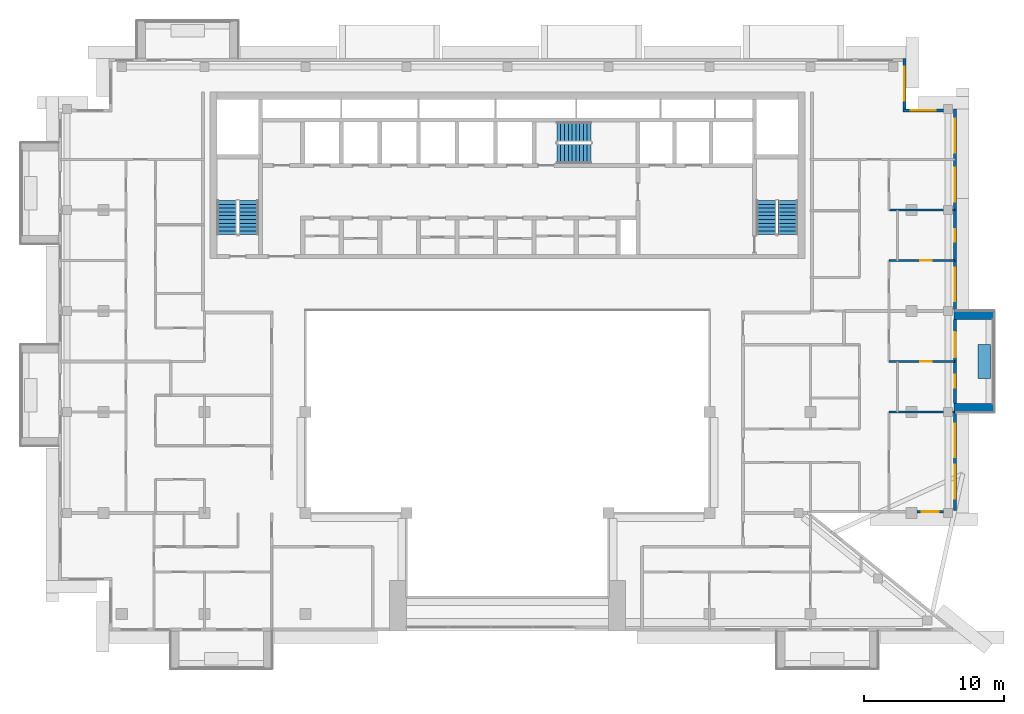
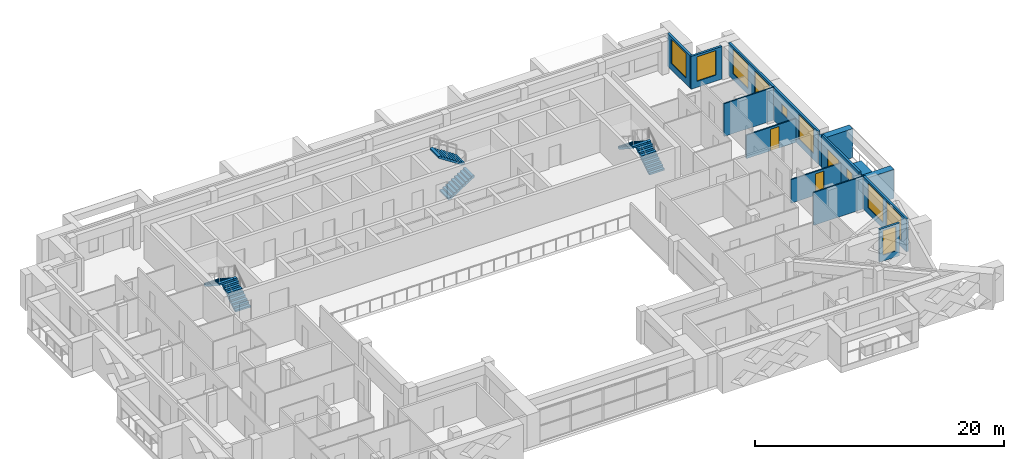
# One storey, part 12 of 19: 13 walls, 10 windows, 6 stair flights, 3 doors, 13 openings, 3 elements without a shape of their own.
"""IFC4 building model written with IfcOpenShell, lengths in metres."""

import ifcopenshell
import ifcopenshell.guid

model = None  # the IFC model being written
_history = None  # IfcOwnerHistory: only IFC2X3 demands one
_inside = {}  # id of a spatial element -> (the spatial element, [elements in it])
_under = {}  # id of a project, library or spatial element -> (it, [spatial elements below it])
_declared = {}  # id of a project -> (the project, [libraries it declares])
_typed = {}  # id of a type object -> (the type object, [elements of that type])
_made_of = {}  # id of a material, layer set ... -> (it, [elements and type objects made of it])


def new_model(schema):
    """Start an empty IFC model of exactly this schema.

    Asked for "IFC4X3", IfcOpenShell would pick the latest addendum, in which some entities
    have other attributes; the version numbers below select the first issue.
    IFC2X3 requires an IfcOwnerHistory on every rooted entity: one is made here for all.
    """
    global model, _history
    if schema == "IFC4X3":
        model = ifcopenshell.file(schema_version=(4, 3, 0, 0))
    else:
        model = ifcopenshell.file(schema=schema)
    _inside.clear()
    _under.clear()
    _declared.clear()
    _typed.clear()
    _made_of.clear()
    _history = None
    if model.schema == "IFC2X3":
        org = make("IfcOrganization", Name="unknown")
        user = make(
            "IfcPersonAndOrganization",
            ThePerson=make("IfcPerson", FamilyName="unknown"),
            TheOrganization=org,
        )
        app = make(
            "IfcApplication",
            ApplicationDeveloper=org,
            Version="unknown",
            ApplicationFullName="unknown",
            ApplicationIdentifier="unknown",
        )
        _history = make(
            "IfcOwnerHistory",
            OwningUser=user,
            OwningApplication=app,
            ChangeAction="ADDED",
            CreationDate=0,
        )
    return model


def make(cls, **values):
    """One entity of the class cls with the attributes given. An attribute that is None is left unset."""
    return model.create_entity(
        cls, **{name: value for name, value in values.items() if value is not None}
    )


def rooted(cls, **values):
    """An entity with a GlobalId (a new one), such as an element, a storey or a relation."""
    return make(cls, GlobalId=ifcopenshell.guid.new(), OwnerHistory=_history, **values)


def si_unit(unit_type, name, prefix=None):
    """IfcSIUnit, for example si_unit("LENGTHUNIT", "METRE", prefix="MILLI")."""
    return make("IfcSIUnit", UnitType=unit_type, Prefix=prefix, Name=name)


def assignment(units):
    """IfcUnitAssignment: the units of a project."""
    return None if units is None else make("IfcUnitAssignment", Units=units)


def point(xyz):
    """IfcCartesianPoint."""
    return None if xyz is None else make("IfcCartesianPoint", Coordinates=xyz)


def direction(xyz):
    """IfcDirection."""
    return None if xyz is None else make("IfcDirection", DirectionRatios=xyz)


def frame(location, z_axis=None, x_axis=None):
    """IfcAxis2Placement3D, a coordinate frame: its origin and axes. An axis left out is left unset."""
    return make(
        "IfcAxis2Placement3D",
        Location=point(location),
        Axis=direction(z_axis),
        RefDirection=direction(x_axis),
    )


def frame_2d(location, x_axis=None):
    """IfcAxis2Placement2D, a coordinate frame in the plane: its origin and x axis."""
    return make(
        "IfcAxis2Placement2D", Location=point(location), RefDirection=direction(x_axis)
    )


def origin():
    """The frame at (0, 0, 0) with its axes left unset."""
    return frame((0.0, 0.0, 0.0))


def place(relative_to, where):
    """IfcLocalPlacement: puts the frame where relative to a parent placement (None: the world)."""
    return make(
        "IfcLocalPlacement", PlacementRelTo=relative_to, RelativePlacement=where
    )


def context(
    kind, dimensions, precision=None, world=None, true_north=None, identifier=None
):
    """IfcGeometricRepresentationContext, for example the 3D "Model" context."""
    return make(
        "IfcGeometricRepresentationContext",
        ContextIdentifier=identifier,
        ContextType=kind,
        CoordinateSpaceDimension=dimensions,
        Precision=precision,
        WorldCoordinateSystem=world,
        TrueNorth=true_north,
    )


def subcontext(parent, identifier, kind, view, scale=None):
    """IfcGeometricRepresentationSubContext, for example "Body" below "Model"."""
    return make(
        "IfcGeometricRepresentationSubContext",
        ContextIdentifier=identifier,
        ContextType=kind,
        ParentContext=parent,
        TargetScale=scale,
        TargetView=view,
    )


def project(units=None, contexts=None):
    """IfcProject with its units and contexts."""
    return rooted(
        "IfcProject",
        Name="project",
        RepresentationContexts=contexts,
        UnitsInContext=assignment(units),
    )


def spatial(cls, under=None, at=None, **own):
    """A site, building, storey or space (cls), placed at a placement, below another one or the project."""
    s = rooted(cls, ObjectPlacement=at, **own)
    if under is not None:
        _under.setdefault(under.id(), (under, []))[1].append(s)
    return s


def polyline(points):
    """IfcPolyline through the points."""
    return make("IfcPolyline", Points=[point(p) for p in points])


def profile(cls, at=None, kind="AREA", **sizes):
    """A parametric profile (cls). Its sizes go by their IFC names, for example OverallWidth=200.0."""
    return make(cls, ProfileType=kind, Position=at, **sizes)


def rectangle(**sizes):
    """IfcRectangleProfileDef."""
    return profile("IfcRectangleProfileDef", **sizes)


def outline(outer, holes=None, kind="AREA"):
    """IfcArbitraryClosedProfileDef: a profile drawn as a closed curve; with holes, ...WithVoids."""
    if holes is None:
        return make("IfcArbitraryClosedProfileDef", ProfileType=kind, OuterCurve=outer)
    return make(
        "IfcArbitraryProfileDefWithVoids",
        ProfileType=kind,
        OuterCurve=outer,
        InnerCurves=holes,
    )


def extrude(swept, where, along, depth):
    """IfcExtrudedAreaSolid: the profile swept, set in the frame where, extruded along a direction by depth."""
    return make(
        "IfcExtrudedAreaSolid",
        SweptArea=swept,
        Position=where,
        ExtrudedDirection=direction(along),
        Depth=depth,
    )


def shape(context_of_items, identifier, shape_type, items):
    """IfcShapeRepresentation: the items that make up one representation, for example the "Body"."""
    return make(
        "IfcShapeRepresentation",
        ContextOfItems=context_of_items,
        RepresentationIdentifier=identifier,
        RepresentationType=shape_type,
        Items=items,
    )


def material(Name=None, Category=None):
    """IfcMaterial."""
    return make("IfcMaterial", Name=Name, Category=Category)


def layer(
    of_material, thickness, ventilated=None, Name=None, Category=None, Priority=None
):
    """IfcMaterialLayer: one layer of a wall or slab, of a material (None: an air gap)."""
    return make(
        "IfcMaterialLayer",
        Material=of_material,
        LayerThickness=thickness,
        IsVentilated=ventilated,
        Name=Name,
        Category=Category,
        Priority=Priority,
    )


def layer_set(layers, Name=None):
    """IfcMaterialLayerSet."""
    return make("IfcMaterialLayerSet", MaterialLayers=layers, LayerSetName=Name)


def made_of(thing, what):
    """Note that an element or type object is made of a material, layer set ...; save() writes the relation."""
    if what is not None:
        _made_of.setdefault(what.id(), (what, []))[1].append(thing)
    return thing


def type_object(cls, material=None, **own):
    """A type object (cls), such as IfcWallType, which elements share."""
    return made_of(rooted(cls, **own), material)


def element(
    cls,
    number,
    at=None,
    inside=None,
    cuts=None,
    type_object=None,
    material=None,
    context=None,
    identifier="Body",
    shape_type=None,
    held_by="IfcProductDefinitionShape",
    body=None,
    shapes=None,
    **own,
):
    """One element of the class cls, such as IfcWall. Its Tag is "e" and its number.

    at: its placement. inside: the storey or other place that contains it. cuts: it is an
    opening in that element (IfcRelVoidsElement). A single representation is given by context,
    identifier, shape_type and body (its items); several are given by shapes. held_by: the class
    of the entity that holds the representations. save() writes the other relations.
    """
    e = rooted(cls, Tag="e%d" % number, ObjectPlacement=at, **own)
    if body is not None:
        shapes = [shape(context, identifier, shape_type, body)]
    if shapes is not None:
        e.Representation = make(held_by, Representations=shapes)
    if inside is not None:
        _inside.setdefault(inside.id(), (inside, []))[1].append(e)
    if cuts is not None:
        rooted(
            "IfcRelVoidsElement", RelatingBuildingElement=cuts, RelatedOpeningElement=e
        )
    if type_object is not None:
        _typed.setdefault(type_object.id(), (type_object, []))[1].append(e)
    return made_of(e, material)


def fill(opening, filler):
    """IfcRelFillsElement: the door or window that sits in an opening."""
    return rooted(
        "IfcRelFillsElement",
        RelatingOpeningElement=opening,
        RelatedBuildingElement=filler,
    )


def aggregate(whole, parts):
    """IfcRelAggregates: a whole, such as a stair, and the parts it consists of."""
    return rooted("IfcRelAggregates", RelatingObject=whole, RelatedObjects=parts)


def save(model, path):
    """Write the relations noted so far, then the file.

    IfcRelAggregates (storeys below a building ...), IfcRelContainedInSpatialStructure (elements
    in a storey), IfcRelDefinesByType, IfcRelAssociatesMaterial and IfcRelDeclares: one each for
    every whole, place, type object, material and project.
    """
    for whole, parts in _under.values():
        aggregate(whole, parts)
    for where, things in _inside.values():
        rooted(
            "IfcRelContainedInSpatialStructure",
            RelatedElements=things,
            RelatingStructure=where,
        )
    for kind, things in _typed.values():
        rooted("IfcRelDefinesByType", RelatedObjects=things, RelatingType=kind)
    for what, things in _made_of.values():
        rooted("IfcRelAssociatesMaterial", RelatedObjects=things, RelatingMaterial=what)
    for by, libraries in _declared.values():
        rooted("IfcRelDeclares", RelatingContext=by, RelatedDefinitions=libraries)
    model.write(path)


model = new_model("IFC4")

# Units and contexts
model_context = context("Model", 3, precision=1e-05, world=origin(), true_north=direction((0.0, 1.0)))
body_context = subcontext(model_context, "Body", "Model", "MODEL_VIEW")
ifc_project = project(units=[si_unit("LENGTHUNIT", "METRE"), si_unit("AREAUNIT", "SQUARE_METRE"), si_unit("VOLUMEUNIT", "CUBIC_METRE"), si_unit("PLANEANGLEUNIT", "RADIAN"), si_unit("MASSUNIT", "GRAM", prefix="KILO")], contexts=[model_context])

# Site, building, storey
site_placement = place(None, origin())
site = spatial("IfcSite", under=ifc_project, at=site_placement, CompositionType="ELEMENT")
building_placement = place(site_placement, origin())
building = spatial("IfcBuilding", under=site, at=building_placement, Name="Saffron Iwan Residences", CompositionType="ELEMENT")
storey_placement = place(building_placement, frame((0.0, 0.0, 239.5)))
storey = spatial("IfcBuildingStorey", under=building, at=storey_placement, Name="L64", CompositionType="ELEMENT", Elevation=239.5)

# Walls
ifc_material_1 = material(Name="Concrete C50/60 white painted", Category="concrete")
ifc_layer_1 = layer(ifc_material_1, 0.60009765625)
ifc_layer_set_1 = layer_set([ifc_layer_1], Name="Concrete C50/60 white painted")
wall_type_1 = type_object("IfcWallType", Name="BALCONY FIN 600", PredefinedType="SOLIDWALL", material=ifc_layer_set_1)
for number, where, z_axis, x_axis, name in (
    (1, (82.22509765625, 55.5, 0.0), (0.0, 0.0, 1.0), (1.0, 0.0, 0.0), "Balcony fin L64 F2-0a"),
    (2, (82.22509765625, 62.10009765625, 0.0), (0.0, 0.0, 1.0), (1.0, 0.0, 0.0), "Balcony fin L64 F2-0b"),
):
    element("IfcWall", number, at=place(storey_placement, frame(where, z_axis=z_axis, x_axis=x_axis)), inside=storey, type_object=wall_type_1, Name=name, PredefinedType="SOLIDWALL", context=body_context, shape_type="SweptSolid", body=[
        extrude(rectangle(XDim=2.875, YDim=0.60009765625, at=frame_2d((1.4375, 0.0))), origin(), (0.0, 0.0, 1.0), 2.85009765625),
    ])
ifc_material_2 = material(Name="Concrete C35/45 white painted", Category="concrete")
ifc_layer_2 = layer(ifc_material_2, 0.14990234375)
ifc_layer_set_2 = layer_set([ifc_layer_2], Name="Concrete C35/45 white painted")
wall_type_2 = type_object("IfcWallType", Name="BALCONY PLANTER", PredefinedType="SOLIDWALL", material=ifc_layer_set_2)
wall_1_placement = place(storey_placement, frame((84.375, 57.60009765625, 0.0), z_axis=(0.0, 0.0, 1.0), x_axis=(0.0, 1.0, 0.0)))
element("IfcWall", 3, at=wall_1_placement, inside=storey, type_object=wall_type_2, Name="PLANTER L64 F2-0", PredefinedType="SOLIDWALL", context=body_context, shape_type="SweptSolid", body=[
    extrude(rectangle(XDim=2.39990234375, YDim=0.89990234375, at=frame_2d((1.199951171875, 0.0))), origin(), (0.0, 0.0, 1.0), 0.89990234375),
])

# Wall, opening, window
ifc_material_3 = material(Name="Concrete C40/50", Category="concrete")
ifc_layer_3 = layer(ifc_material_3, 0.199951171875)
ifc_layer_set_3 = layer_set([ifc_layer_3], Name="Concrete C40/50")
wall_type_3 = type_object("IfcWallType", Name="EXTERNAL WALL 200", PredefinedType="SOLIDWALL", material=ifc_layer_set_3)
wall_2_placement = place(storey_placement, frame((79.60009765625, 48.10009765625, 0.0), z_axis=(0.0, 0.0, 1.0), x_axis=(1.0, 0.0, 0.0)))
wall_2 = element("IfcWall", 4, at=wall_2_placement, inside=storey, type_object=wall_type_3, Name="External wall L64 F1.1", PredefinedType="SOLIDWALL", context=body_context, shape_type="SweptSolid", body=[
    extrude(rectangle(XDim=1.875, YDim=0.199951171875, at=frame_2d((0.9375, 0.0))), origin(), (0.0, 0.0, 1.0), 3.219970703125),
])
opening_1_placement = place(wall_2_placement, frame((0.33740234375, 0.0, 0.60009765625)))
opening_1 = element("IfcOpeningElement", 5, at=opening_1_placement, cuts=wall_2, Name="Opening W3", PredefinedType="OPENING", context=body_context, shape_type="SweptSolid", body=[
    extrude(rectangle(XDim=1.199951171875, YDim=2.39990234375, at=frame_2d((0.60009765625, 1.199951171875))), frame((0.0, 0.10986328125, 0.0), z_axis=(0.0, -1.0, 0.0), x_axis=(1.0, 0.0, 0.0)), (0.0, 0.0, 1.0), 0.219970703125),
])
ifc_material_4 = material(Name="Clear glass, laminated double glazed", Category="glass")
window_type_1 = type_object("IfcWindowType", Name="WINDOW 1200 x 2400", PartitioningType="SINGLE_PANEL", PredefinedType="WINDOW", material=ifc_material_4)
window_1_placement = place(opening_1_placement, origin())
window_1 = element("IfcWindow", 6, at=window_1_placement, inside=storey, type_object=window_type_1, Name="Window L64 F1.0", OverallHeight=2.39990234375, OverallWidth=1.199951171875, PartitioningType="SINGLE_PANEL", PredefinedType="WINDOW", context=body_context, shape_type="SweptSolid", body=[
    extrude(rectangle(XDim=1.199951171875, YDim=2.39990234375, at=frame_2d((0.60009765625, 1.199951171875))), frame((0.0, 0.030029296875, 0.0), z_axis=(0.0, -1.0, 0.0), x_axis=(1.0, 0.0, 0.0)), (0.0, 0.0, 1.0), 0.06005859375),
])
fill(opening_1, window_1)

# Wall, openings, windows
wall_3_placement = place(storey_placement, frame((82.300048828125, 48.199951171875, 0.0), z_axis=(0.0, 0.0, 1.0), x_axis=(0.0, 1.0, 0.0)))
wall_3 = element("IfcWall", 7, at=wall_3_placement, inside=storey, type_object=wall_type_3, Name="External wall L64 F2.0", PredefinedType="SOLIDWALL", context=body_context, shape_type="SweptSolid", body=[
    extrude(rectangle(XDim=7.0, YDim=0.199951171875, at=frame_2d((3.5, 0.0))), origin(), (0.0, 0.0, 1.0), 3.219970703125),
])
opening_2_placement = place(wall_3_placement, frame((0.833251953125, 0.0, 0.60009765625)))
opening_2 = element("IfcOpeningElement", 8, at=opening_2_placement, cuts=wall_3, Name="Opening W1", PredefinedType="OPENING", context=body_context, shape_type="SweptSolid", body=[
    extrude(rectangle(XDim=2.39990234375, YDim=2.39990234375, at=frame_2d((1.199951171875, 1.199951171875))), frame((0.0, 0.10986328125, 0.0), z_axis=(0.0, -1.0, 0.0), x_axis=(1.0, 0.0, 0.0)), (0.0, 0.0, 1.0), 0.219970703125),
])
opening_3_placement = place(wall_3_placement, frame((3.7666015625, 0.0, 0.60009765625)))
opening_3 = element("IfcOpeningElement", 9, at=opening_3_placement, cuts=wall_3, Name="Opening W1", PredefinedType="OPENING", context=body_context, shape_type="SweptSolid", body=[
    extrude(rectangle(XDim=2.39990234375, YDim=2.39990234375, at=frame_2d((1.199951171875, 1.199951171875))), frame((0.0, 0.10986328125, 0.0), z_axis=(0.0, -1.0, 0.0), x_axis=(1.0, 0.0, 0.0)), (0.0, 0.0, 1.0), 0.219970703125),
])
window_type_2 = type_object("IfcWindowType", Name="WINDOW 2400 x 2400", PartitioningType="DOUBLE_PANEL_VERTICAL", PredefinedType="WINDOW", material=ifc_material_4)
window_2_placement = place(opening_2_placement, origin())
window_2 = element("IfcWindow", 10, at=window_2_placement, inside=storey, type_object=window_type_2, Name="Window L64 F2.0", OverallHeight=2.39990234375, OverallWidth=2.39990234375, PartitioningType="DOUBLE_PANEL_VERTICAL", PredefinedType="WINDOW", context=body_context, shape_type="SweptSolid", body=[
    extrude(rectangle(XDim=2.39990234375, YDim=2.39990234375, at=frame_2d((1.199951171875, 1.199951171875))), frame((0.0, 0.030029296875, 0.0), z_axis=(0.0, -1.0, 0.0), x_axis=(1.0, 0.0, 0.0)), (0.0, 0.0, 1.0), 0.06005859375),
])
fill(opening_2, window_2)
window_3_placement = place(opening_3_placement, origin())
window_3 = element("IfcWindow", 11, at=window_3_placement, inside=storey, type_object=window_type_2, Name="Window L64 F2.1", OverallHeight=2.39990234375, OverallWidth=2.39990234375, PartitioningType="DOUBLE_PANEL_VERTICAL", PredefinedType="WINDOW", context=body_context, shape_type="SweptSolid", body=[
    extrude(rectangle(XDim=2.39990234375, YDim=2.39990234375, at=frame_2d((1.199951171875, 1.199951171875))), frame((0.0, 0.030029296875, 0.0), z_axis=(0.0, -1.0, 0.0), x_axis=(1.0, 0.0, 0.0)), (0.0, 0.0, 1.0), 0.06005859375),
])
fill(opening_3, window_3)

# Wall, openings, door, window
wall_4_placement = place(storey_placement, frame((82.300048828125, 55.800048828125, 0.0), z_axis=(0.0, 0.0, 1.0), x_axis=(0.0, 1.0, 0.0)))
wall_4 = element("IfcWall", 12, at=wall_4_placement, inside=storey, type_object=wall_type_3, Name="External wall L64 F2.1", PredefinedType="SOLIDWALL", context=body_context, shape_type="SweptSolid", body=[
    extrude(rectangle(XDim=6.0, YDim=0.199951171875, at=frame_2d((3.0, 0.0))), origin(), (0.0, 0.0, 1.0), 3.219970703125),
])
opening_4_placement = place(wall_4_placement, frame((3.300048828125, 0.0, 0.0)))
opening_4 = element("IfcOpeningElement", 13, at=opening_4_placement, cuts=wall_4, Name="Opening BD1", PredefinedType="OPENING", context=body_context, shape_type="SweptSolid", body=[
    extrude(rectangle(XDim=1.800048828125, YDim=2.39990234375, at=frame_2d((0.89990234375, 1.199951171875))), frame((0.0, 0.10986328125, 0.0), z_axis=(0.0, -1.0, 0.0), x_axis=(1.0, 0.0, 0.0)), (0.0, 0.0, 1.0), 0.219970703125),
])
opening_5_placement = place(wall_4_placement, frame((1.14990234375, 0.0, 1.5)))
opening_5 = element("IfcOpeningElement", 14, at=opening_5_placement, cuts=wall_4, Name="Opening W6", PredefinedType="OPENING", context=body_context, shape_type="SweptSolid", body=[
    extrude(rectangle(XDim=0.89990234375, YDim=0.89990234375, at=frame_2d((0.449951171875, 0.449951171875))), frame((0.0, 0.10986328125, 0.0), z_axis=(0.0, -1.0, 0.0), x_axis=(1.0, 0.0, 0.0)), (0.0, 0.0, 1.0), 0.219970703125),
])
door_type_1 = type_object("IfcDoorType", Name="BALCONY DOOR 1800 x 2400", OperationType="DOUBLE_DOOR_SLIDING", PredefinedType="DOOR", material=ifc_material_4)
door_1_placement = place(opening_4_placement, origin())
door_1 = element("IfcDoor", 15, at=door_1_placement, inside=storey, type_object=door_type_1, Name="Balcony door L64 F2.0", OperationType="DOUBLE_DOOR_SLIDING", OverallHeight=2.39990234375, OverallWidth=1.800048828125, PredefinedType="DOOR", context=body_context, shape_type="SweptSolid", body=[
    extrude(rectangle(XDim=1.800048828125, YDim=2.39990234375, at=frame_2d((0.89990234375, 1.199951171875))), frame((0.0, 0.02490234375, 0.0), z_axis=(0.0, -1.0, 0.0), x_axis=(1.0, 0.0, 0.0)), (0.0, 0.0, 1.0), 0.050048828125),
])
fill(opening_4, door_1)
window_type_3 = type_object("IfcWindowType", Name="WINDOW 900 x 900 BATH", PartitioningType="SINGLE_PANEL", PredefinedType="WINDOW", material=ifc_material_4)
window_4_placement = place(opening_5_placement, origin())
window_4 = element("IfcWindow", 16, at=window_4_placement, inside=storey, type_object=window_type_3, Name="Window L64 F2.1", OverallHeight=0.89990234375, OverallWidth=0.89990234375, PartitioningType="SINGLE_PANEL", PredefinedType="WINDOW", context=body_context, shape_type="SweptSolid", body=[
    extrude(rectangle(XDim=0.89990234375, YDim=0.89990234375, at=frame_2d((0.449951171875, 0.449951171875))), frame((0.0, 0.030029296875, 0.0), z_axis=(0.0, -1.0, 0.0), x_axis=(1.0, 0.0, 0.0)), (0.0, 0.0, 1.0), 0.06005859375),
])
fill(opening_5, window_4)

# Wall, openings, windows
wall_5_placement = place(storey_placement, frame((82.300048828125, 62.39990234375, 0.0), z_axis=(0.0, 0.0, 1.0), x_axis=(0.0, 1.0, 0.0)))
wall_5 = element("IfcWall", 17, at=wall_5_placement, inside=storey, type_object=wall_type_3, Name="External wall L64 F2.2", PredefinedType="SOLIDWALL", context=body_context, shape_type="SweptSolid", body=[
    extrude(rectangle(XDim=14.400146484375, YDim=0.199951171875, at=frame_2d((7.2001953125, 0.0))), origin(), (0.0, 0.0, 1.0), 3.219970703125),
])
opening_6_placement = place(wall_5_placement, frame((0.699951171875, 0.0, 0.60009765625)))
opening_6 = element("IfcOpeningElement", 18, at=opening_6_placement, cuts=wall_5, Name="Opening W1", PredefinedType="OPENING", context=body_context, shape_type="SweptSolid", body=[
    extrude(rectangle(XDim=2.39990234375, YDim=2.39990234375, at=frame_2d((1.199951171875, 1.199951171875))), frame((0.0, 0.10986328125, 0.0), z_axis=(0.0, -1.0, 0.0), x_axis=(1.0, 0.0, 0.0)), (0.0, 0.0, 1.0), 0.219970703125),
])
opening_7_placement = place(wall_5_placement, frame((4.949951171875, 0.0, 1.5)))
opening_7 = element("IfcOpeningElement", 19, at=opening_7_placement, cuts=wall_5, Name="Opening W6", PredefinedType="OPENING", context=body_context, shape_type="SweptSolid", body=[
    extrude(rectangle(XDim=0.89990234375, YDim=0.89990234375, at=frame_2d((0.449951171875, 0.449951171875))), frame((0.0, 0.10986328125, 0.0), z_axis=(0.0, -1.0, 0.0), x_axis=(1.0, 0.0, 0.0)), (0.0, 0.0, 1.0), 0.219970703125),
])
opening_8_placement = place(wall_5_placement, frame((7.800048828125, 0.0, 0.60009765625)))
opening_8 = element("IfcOpeningElement", 20, at=opening_8_placement, cuts=wall_5, Name="Opening W1", PredefinedType="OPENING", context=body_context, shape_type="SweptSolid", body=[
    extrude(rectangle(XDim=2.39990234375, YDim=2.39990234375, at=frame_2d((1.199951171875, 1.199951171875))), frame((0.0, 0.10986328125, 0.0), z_axis=(0.0, -1.0, 0.0), x_axis=(1.0, 0.0, 0.0)), (0.0, 0.0, 1.0), 0.219970703125),
])
opening_9_placement = place(wall_5_placement, frame((11.300048828125, 0.0, 0.60009765625)))
opening_9 = element("IfcOpeningElement", 21, at=opening_9_placement, cuts=wall_5, Name="Opening W1", PredefinedType="OPENING", context=body_context, shape_type="SweptSolid", body=[
    extrude(rectangle(XDim=2.39990234375, YDim=2.39990234375, at=frame_2d((1.199951171875, 1.199951171875))), frame((0.0, 0.10986328125, 0.0), z_axis=(0.0, -1.0, 0.0), x_axis=(1.0, 0.0, 0.0)), (0.0, 0.0, 1.0), 0.219970703125),
])
window_5_placement = place(opening_6_placement, origin())
window_5 = element("IfcWindow", 22, at=window_5_placement, inside=storey, type_object=window_type_2, Name="Window L64 F2.0", OverallHeight=2.39990234375, OverallWidth=2.39990234375, PartitioningType="DOUBLE_PANEL_VERTICAL", PredefinedType="WINDOW", context=body_context, shape_type="SweptSolid", body=[
    extrude(rectangle(XDim=2.39990234375, YDim=2.39990234375, at=frame_2d((1.199951171875, 1.199951171875))), frame((0.0, 0.030029296875, 0.0), z_axis=(0.0, -1.0, 0.0), x_axis=(1.0, 0.0, 0.0)), (0.0, 0.0, 1.0), 0.06005859375),
])
fill(opening_6, window_5)
window_6_placement = place(opening_8_placement, origin())
window_6 = element("IfcWindow", 23, at=window_6_placement, inside=storey, type_object=window_type_2, Name="Window L64 F2.2", OverallHeight=2.39990234375, OverallWidth=2.39990234375, PartitioningType="DOUBLE_PANEL_VERTICAL", PredefinedType="WINDOW", context=body_context, shape_type="SweptSolid", body=[
    extrude(rectangle(XDim=2.39990234375, YDim=2.39990234375, at=frame_2d((1.199951171875, 1.199951171875))), frame((0.0, 0.030029296875, 0.0), z_axis=(0.0, -1.0, 0.0), x_axis=(1.0, 0.0, 0.0)), (0.0, 0.0, 1.0), 0.06005859375),
])
fill(opening_8, window_6)
window_7_placement = place(opening_9_placement, origin())
window_7 = element("IfcWindow", 24, at=window_7_placement, inside=storey, type_object=window_type_2, Name="Window L64 F2.3", OverallHeight=2.39990234375, OverallWidth=2.39990234375, PartitioningType="DOUBLE_PANEL_VERTICAL", PredefinedType="WINDOW", context=body_context, shape_type="SweptSolid", body=[
    extrude(rectangle(XDim=2.39990234375, YDim=2.39990234375, at=frame_2d((1.199951171875, 1.199951171875))), frame((0.0, 0.030029296875, 0.0), z_axis=(0.0, -1.0, 0.0), x_axis=(1.0, 0.0, 0.0)), (0.0, 0.0, 1.0), 0.06005859375),
])
fill(opening_9, window_7)
window_8_placement = place(opening_7_placement, origin())
window_8 = element("IfcWindow", 25, at=window_8_placement, inside=storey, type_object=window_type_3, Name="Window L64 F2.1", OverallHeight=0.89990234375, OverallWidth=0.89990234375, PartitioningType="SINGLE_PANEL", PredefinedType="WINDOW", context=body_context, shape_type="SweptSolid", body=[
    extrude(rectangle(XDim=0.89990234375, YDim=0.89990234375, at=frame_2d((0.449951171875, 0.449951171875))), frame((0.0, 0.030029296875, 0.0), z_axis=(0.0, -1.0, 0.0), x_axis=(1.0, 0.0, 0.0)), (0.0, 0.0, 1.0), 0.06005859375),
])
fill(opening_7, window_8)

# Wall, opening, window
wall_6_placement = place(storey_placement, frame((81.47509765625, 76.699951171875, 0.0), z_axis=(0.0, 0.0, 1.0), x_axis=(-1.0, 0.0, 0.0)))
wall_6 = element("IfcWall", 26, at=wall_6_placement, inside=storey, type_object=wall_type_3, Name="External wall L64 F3.0", PredefinedType="SOLIDWALL", context=body_context, shape_type="SweptSolid", body=[
    extrude(rectangle(XDim=2.875, YDim=0.199951171875, at=frame_2d((1.4375, 0.0))), origin(), (0.0, 0.0, 1.0), 3.219970703125),
])
opening_10_placement = place(wall_6_placement, frame((0.53759765625, 0.0, 0.60009765625)))
opening_10 = element("IfcOpeningElement", 27, at=opening_10_placement, cuts=wall_6, Name="Opening W8", PredefinedType="OPENING", context=body_context, shape_type="SweptSolid", body=[
    extrude(rectangle(XDim=1.800048828125, YDim=2.39990234375, at=frame_2d((0.89990234375, 1.199951171875))), frame((0.0, 0.10986328125, 0.0), z_axis=(0.0, -1.0, 0.0), x_axis=(1.0, 0.0, 0.0)), (0.0, 0.0, 1.0), 0.219970703125),
])
window_type_4 = type_object("IfcWindowType", Name="WINDOW 1800 x 2400", PartitioningType="DOUBLE_PANEL_VERTICAL", PredefinedType="WINDOW", material=ifc_material_4)
window_9_placement = place(opening_10_placement, origin())
window_9 = element("IfcWindow", 28, at=window_9_placement, inside=storey, type_object=window_type_4, Name="Window L64 F3.0", OverallHeight=2.39990234375, OverallWidth=1.800048828125, PartitioningType="DOUBLE_PANEL_VERTICAL", PredefinedType="WINDOW", context=body_context, shape_type="SweptSolid", body=[
    extrude(rectangle(XDim=1.800048828125, YDim=2.39990234375, at=frame_2d((0.89990234375, 1.199951171875))), frame((0.0, 0.030029296875, 0.0), z_axis=(0.0, -1.0, 0.0), x_axis=(1.0, 0.0, 0.0)), (0.0, 0.0, 1.0), 0.06005859375),
])
fill(opening_10, window_9)

wall_7_placement = place(storey_placement, frame((78.699951171875, 76.800048828125, 0.0), z_axis=(0.0, 0.0, 1.0), x_axis=(0.0, 1.0, 0.0)))
wall_7 = element("IfcWall", 29, at=wall_7_placement, inside=storey, type_object=wall_type_3, Name="External wall L64 F4.0", PredefinedType="SOLIDWALL", context=body_context, shape_type="SweptSolid", body=[
    extrude(rectangle(XDim=3.599853515625, YDim=0.199951171875, at=frame_2d((1.7998046875, 0.0))), origin(), (0.0, 0.0, 1.0), 3.219970703125),
])
opening_11_placement = place(wall_7_placement, frame((0.60009765625, 0.0, 0.60009765625)))
opening_11 = element("IfcOpeningElement", 30, at=opening_11_placement, cuts=wall_7, Name="Opening W1", PredefinedType="OPENING", context=body_context, shape_type="SweptSolid", body=[
    extrude(rectangle(XDim=2.39990234375, YDim=2.39990234375, at=frame_2d((1.199951171875, 1.199951171875))), frame((0.0, 0.10986328125, 0.0), z_axis=(0.0, -1.0, 0.0), x_axis=(1.0, 0.0, 0.0)), (0.0, 0.0, 1.0), 0.219970703125),
])
window_10_placement = place(opening_11_placement, origin())
window_10 = element("IfcWindow", 31, at=window_10_placement, inside=storey, type_object=window_type_2, Name="Window L64 F4.0", OverallHeight=2.39990234375, OverallWidth=2.39990234375, PartitioningType="DOUBLE_PANEL_VERTICAL", PredefinedType="WINDOW", context=body_context, shape_type="SweptSolid", body=[
    extrude(rectangle(XDim=2.39990234375, YDim=2.39990234375, at=frame_2d((1.199951171875, 1.199951171875))), frame((0.0, 0.030029296875, 0.0), z_axis=(0.0, -1.0, 0.0), x_axis=(1.0, 0.0, 0.0)), (0.0, 0.0, 1.0), 0.06005859375),
])
fill(opening_11, window_10)

# Wall
ifc_material_5 = material(Name="Gypsum board partition")
ifc_layer_4 = layer(ifc_material_5, 0.1201171875)
ifc_layer_set_4 = layer_set([ifc_layer_4], Name="Gypsum board partition")
wall_type_4 = type_object("IfcWallType", Name="Flat partition 120", PredefinedType="PARTITIONING", material=ifc_layer_set_4)
wall_8_placement = place(storey_placement, frame((77.60009765625, 55.199951171875, 0.0), z_axis=(0.0, 0.0, 1.0), x_axis=(1.0, 0.0, 0.0)))
element("IfcWall", 32, at=wall_8_placement, inside=storey, type_object=wall_type_4, Name="W-L64-PART-h55.2-77.6", PredefinedType="PARTITIONING", context=body_context, shape_type="SweptSolid", body=[
    extrude(rectangle(XDim=4.6748046875, YDim=0.1201171875, at=frame_2d((2.33740234375, 0.0))), origin(), (0.0, 0.0, 1.0), 3.219970703125),
])

# Wall, opening, door
wall_9_placement = place(storey_placement, frame((77.60009765625, 58.800048828125, 0.0), z_axis=(0.0, 0.0, 1.0), x_axis=(1.0, 0.0, 0.0)))
wall_9 = element("IfcWall", 33, at=wall_9_placement, inside=storey, type_object=wall_type_4, Name="W-L64-PART-h58.8-77.6", PredefinedType="PARTITIONING", context=body_context, shape_type="SweptSolid", body=[
    extrude(rectangle(XDim=4.6748046875, YDim=0.1201171875, at=frame_2d((2.33740234375, 0.0))), origin(), (0.0, 0.0, 1.0), 2.320068359375),
])
opening_12_placement = place(wall_9_placement, frame((2.237548828125, 0.0, 0.0)))
opening_12 = element("IfcOpeningElement", 34, at=opening_12_placement, cuts=wall_9, Name="Opening FD3", PredefinedType="OPENING", context=body_context, shape_type="SweptSolid", body=[
    extrude(rectangle(XDim=0.800048828125, YDim=2.10009765625, at=frame_2d((0.39990234375, 1.050048828125))), frame((0.0, 0.070068359375, 0.0), z_axis=(0.0, -1.0, 0.0), x_axis=(1.0, 0.0, 0.0)), (0.0, 0.0, 1.0), 0.14013671875),
])
ifc_material_6 = material(Name="Timber door", Category="wood")
door_type_2 = type_object("IfcDoorType", Name="Bathroom door 800", OperationType="NOTDEFINED", PredefinedType="DOOR", material=ifc_material_6)
door_2_placement = place(opening_12_placement, origin())
door_2 = element("IfcDoor", 35, at=door_2_placement, inside=storey, type_object=door_type_2, Name="Door L64-017", OperationType="SINGLE_SWING_LEFT", OverallHeight=2.10009765625, OverallWidth=0.800048828125, PredefinedType="DOOR", context=body_context, shape_type="SweptSolid", body=[
    extrude(rectangle(XDim=0.800048828125, YDim=2.10009765625, at=frame_2d((0.39990234375, 1.050048828125))), frame((0.0, 0.02490234375, 0.0), z_axis=(0.0, -1.0, 0.0), x_axis=(1.0, 0.0, 0.0)), (0.0, 0.0, 1.0), 0.050048828125),
])
fill(opening_12, door_2)

wall_10_placement = place(storey_placement, frame((77.60009765625, 66.0, 0.0), z_axis=(0.0, 0.0, 1.0), x_axis=(1.0, 0.0, 0.0)))
wall_10 = element("IfcWall", 36, at=wall_10_placement, inside=storey, type_object=wall_type_4, Name="W-L64-PART-h66-77.6", PredefinedType="PARTITIONING", context=body_context, shape_type="SweptSolid", body=[
    extrude(rectangle(XDim=4.6748046875, YDim=0.1201171875, at=frame_2d((2.33740234375, 0.0))), origin(), (0.0, 0.0, 1.0), 2.320068359375),
])
opening_13_placement = place(wall_10_placement, frame((2.237548828125, 0.0, 0.0)))
opening_13 = element("IfcOpeningElement", 37, at=opening_13_placement, cuts=wall_10, Name="Opening FD3", PredefinedType="OPENING", context=body_context, shape_type="SweptSolid", body=[
    extrude(rectangle(XDim=0.800048828125, YDim=2.10009765625, at=frame_2d((0.39990234375, 1.050048828125))), frame((0.0, 0.070068359375, 0.0), z_axis=(0.0, -1.0, 0.0), x_axis=(1.0, 0.0, 0.0)), (0.0, 0.0, 1.0), 0.14013671875),
])
door_3_placement = place(opening_13_placement, origin())
door_3 = element("IfcDoor", 38, at=door_3_placement, inside=storey, type_object=door_type_2, Name="Door L64-036", OperationType="SINGLE_SWING_RIGHT", OverallHeight=2.10009765625, OverallWidth=0.800048828125, PredefinedType="DOOR", context=body_context, shape_type="SweptSolid", body=[
    extrude(rectangle(XDim=0.800048828125, YDim=2.10009765625, at=frame_2d((0.39990234375, 1.050048828125))), frame((0.0, 0.02490234375, 0.0), z_axis=(0.0, -1.0, 0.0), x_axis=(1.0, 0.0, 0.0)), (0.0, 0.0, 1.0), 0.050048828125),
])
fill(opening_13, door_3)

# Wall
wall_11_placement = place(storey_placement, frame((77.60009765625, 69.60009765625, 0.0), z_axis=(0.0, 0.0, 1.0), x_axis=(1.0, 0.0, 0.0)))
element("IfcWall", 39, at=wall_11_placement, inside=storey, type_object=wall_type_4, Name="W-L64-PART-h69.6-77.6", PredefinedType="PARTITIONING", context=body_context, shape_type="SweptSolid", body=[
    extrude(rectangle(XDim=4.6748046875, YDim=0.1201171875, at=frame_2d((2.33740234375, 0.0))), origin(), (0.0, 0.0, 1.0), 3.219970703125),
])

# Stair, stair flights
ifc_material_7 = material(Name="Concrete C50/60", Category="concrete")
stair_type = type_object("IfcStairType", Name="Stair ST-CORE", PredefinedType="HALF_TURN_STAIR", material=ifc_material_7)
stair_1_placement = place(storey_placement, origin())
stair_1 = element("IfcStair", 40, at=stair_1_placement, inside=storey, type_object=stair_type, Name="L64 Exit Stair ST-W", PredefinedType="HALF_TURN_STAIR")
ifc_layer_5 = layer(ifc_material_7, 0.14990234375)
ifc_layer_set_5 = layer_set([ifc_layer_5], Name="Concrete C50/60")
stair_flight_type = type_object("IfcStairFlightType", Name="Stair flight SFL-RC", PredefinedType="STRAIGHT", material=ifc_layer_set_5)
stair_flight_1_placement = place(storey_placement, frame((31.949951171875, 67.85009765625, 0.0), z_axis=(0.0, 0.0, 1.0), x_axis=(0.0, 1.0, 0.0)))
stair_flight_1 = element("IfcStairFlight", 41, at=stair_flight_1_placement, type_object=stair_flight_type, Name="ST-W flight 1", NumberOfRisers=10, NumberOfTreads=9, PredefinedType="STRAIGHT", RiserHeight=0.175, TreadLength=0.27, context=body_context, shape_type="SweptSolid", body=[
    extrude(outline(polyline([(0.0, 0.0), (0.0, 0.175048828125), (0.27001953125, 0.175048828125), (0.27001953125, 0.35009765625), (0.5400390625, 0.35009765625), (0.5400390625, 0.52490234375), (0.81005859375, 0.52490234375), (0.81005859375, 0.699951171875), (1.080078125, 0.699951171875), (1.080078125, 0.875), (1.35009765625, 0.875), (1.35009765625, 1.050048828125), (1.6201171875, 1.050048828125), (1.6201171875, 1.22509765625), (1.889892578125, 1.22509765625), (1.889892578125, 1.39990234375), (2.159912109375, 1.39990234375), (2.159912109375, 1.574951171875), (2.429931640625, 1.574951171875), (2.429931640625, 1.75), (2.429931640625, 1.396484375), (0.275634765625, 0.0), (0.0, 0.0)])), frame((0.0, 0.699951171875, 0.0), z_axis=(0.0, -1.0, 0.0), x_axis=(1.0, 0.0, 0.0)), (0.0, 0.0, 1.0), 1.39990234375),
])
stair_flight_2_placement = place(storey_placement, frame((30.39990234375, 70.280029296875, 1.75), z_axis=(0.0, 0.0, 1.0), x_axis=(0.0, -1.0, 0.0)))
stair_flight_2 = element("IfcStairFlight", 42, at=stair_flight_2_placement, type_object=stair_flight_type, Name="ST-W flight 2", NumberOfRisers=10, NumberOfTreads=9, PredefinedType="STRAIGHT", RiserHeight=0.175, TreadLength=0.27, context=body_context, shape_type="SweptSolid", body=[
    extrude(outline(polyline([(0.0, 0.0), (0.0, 0.175048828125), (0.27001953125, 0.175048828125), (0.27001953125, 0.35009765625), (0.5400390625, 0.35009765625), (0.5400390625, 0.52490234375), (0.81005859375, 0.52490234375), (0.81005859375, 0.699951171875), (1.080078125, 0.699951171875), (1.080078125, 0.875), (1.35009765625, 0.875), (1.35009765625, 1.050048828125), (1.6201171875, 1.050048828125), (1.6201171875, 1.22509765625), (1.889892578125, 1.22509765625), (1.889892578125, 1.39990234375), (2.159912109375, 1.39990234375), (2.159912109375, 1.574951171875), (2.429931640625, 1.574951171875), (2.429931640625, 1.75), (2.429931640625, 1.396484375), (0.275634765625, 0.0), (0.0, 0.0)])), frame((0.0, 0.699951171875, 0.0), z_axis=(0.0, -1.0, 0.0), x_axis=(1.0, 0.0, 0.0)), (0.0, 0.0, 1.0), 1.39990234375),
])
aggregate(stair_1, [stair_flight_1, stair_flight_2])

stair_2_placement = place(storey_placement, origin())
stair_2 = element("IfcStair", 43, at=stair_2_placement, inside=storey, type_object=stair_type, Name="L64 Exit Stair ST-C", PredefinedType="HALF_TURN_STAIR")
stair_flight_3_placement = place(storey_placement, frame((53.925048828125, 73.625, 0.0), z_axis=(0.0, 0.0, 1.0), x_axis=(1.0, 0.0, 0.0)))
stair_flight_3 = element("IfcStairFlight", 44, at=stair_flight_3_placement, type_object=stair_flight_type, Name="ST-C flight 1", NumberOfRisers=10, NumberOfTreads=9, PredefinedType="STRAIGHT", RiserHeight=0.175, TreadLength=0.27, context=body_context, shape_type="SweptSolid", body=[
    extrude(outline(polyline([(0.0, 0.0), (0.0, 0.175048828125), (0.27001953125, 0.175048828125), (0.27001953125, 0.35009765625), (0.5400390625, 0.35009765625), (0.5400390625, 0.52490234375), (0.81005859375, 0.52490234375), (0.81005859375, 0.699951171875), (1.080078125, 0.699951171875), (1.080078125, 0.875), (1.35009765625, 0.875), (1.35009765625, 1.050048828125), (1.6201171875, 1.050048828125), (1.6201171875, 1.22509765625), (1.889892578125, 1.22509765625), (1.889892578125, 1.39990234375), (2.159912109375, 1.39990234375), (2.159912109375, 1.574951171875), (2.429931640625, 1.574951171875), (2.429931640625, 1.75), (2.429931640625, 1.396484375), (0.275634765625, 0.0), (0.0, 0.0)])), frame((0.0, 0.699951171875, 0.0), z_axis=(0.0, -1.0, 0.0), x_axis=(1.0, 0.0, 0.0)), (0.0, 0.0, 1.0), 1.39990234375),
])
stair_flight_4_placement = place(storey_placement, frame((56.35498046875, 75.175048828125, 1.75), z_axis=(0.0, 0.0, 1.0), x_axis=(-1.0, 0.0, 0.0)))
stair_flight_4 = element("IfcStairFlight", 45, at=stair_flight_4_placement, type_object=stair_flight_type, Name="ST-C flight 2", NumberOfRisers=10, NumberOfTreads=9, PredefinedType="STRAIGHT", RiserHeight=0.175, TreadLength=0.27, context=body_context, shape_type="SweptSolid", body=[
    extrude(outline(polyline([(0.0, 0.0), (0.0, 0.175048828125), (0.27001953125, 0.175048828125), (0.27001953125, 0.35009765625), (0.5400390625, 0.35009765625), (0.5400390625, 0.52490234375), (0.81005859375, 0.52490234375), (0.81005859375, 0.699951171875), (1.080078125, 0.699951171875), (1.080078125, 0.875), (1.35009765625, 0.875), (1.35009765625, 1.050048828125), (1.6201171875, 1.050048828125), (1.6201171875, 1.22509765625), (1.889892578125, 1.22509765625), (1.889892578125, 1.39990234375), (2.159912109375, 1.39990234375), (2.159912109375, 1.574951171875), (2.429931640625, 1.574951171875), (2.429931640625, 1.75), (2.429931640625, 1.396484375), (0.275634765625, 0.0), (0.0, 0.0)])), frame((0.0, 0.699951171875, 0.0), z_axis=(0.0, -1.0, 0.0), x_axis=(1.0, 0.0, 0.0)), (0.0, 0.0, 1.0), 1.39990234375),
])
aggregate(stair_2, [stair_flight_3, stair_flight_4])

stair_3_placement = place(storey_placement, origin())
stair_3 = element("IfcStair", 46, at=stair_3_placement, inside=storey, type_object=stair_type, Name="L64 Exit Stair ST-E", PredefinedType="HALF_TURN_STAIR")
stair_flight_5_placement = place(storey_placement, frame((70.39990234375, 67.85009765625, 0.0), z_axis=(0.0, 0.0, 1.0), x_axis=(0.0, 1.0, 0.0)))
stair_flight_5 = element("IfcStairFlight", 47, at=stair_flight_5_placement, type_object=stair_flight_type, Name="ST-E flight 1", NumberOfRisers=10, NumberOfTreads=9, PredefinedType="STRAIGHT", RiserHeight=0.175, TreadLength=0.27, context=body_context, shape_type="SweptSolid", body=[
    extrude(outline(polyline([(0.0, 0.0), (0.0, 0.175048828125), (0.27001953125, 0.175048828125), (0.27001953125, 0.35009765625), (0.5400390625, 0.35009765625), (0.5400390625, 0.52490234375), (0.81005859375, 0.52490234375), (0.81005859375, 0.699951171875), (1.080078125, 0.699951171875), (1.080078125, 0.875), (1.35009765625, 0.875), (1.35009765625, 1.050048828125), (1.6201171875, 1.050048828125), (1.6201171875, 1.22509765625), (1.889892578125, 1.22509765625), (1.889892578125, 1.39990234375), (2.159912109375, 1.39990234375), (2.159912109375, 1.574951171875), (2.429931640625, 1.574951171875), (2.429931640625, 1.75), (2.429931640625, 1.396484375), (0.275634765625, 0.0), (0.0, 0.0)])), frame((0.0, 0.699951171875, 0.0), z_axis=(0.0, -1.0, 0.0), x_axis=(1.0, 0.0, 0.0)), (0.0, 0.0, 1.0), 1.39990234375),
])
stair_flight_6_placement = place(storey_placement, frame((68.85009765625, 70.280029296875, 1.75), z_axis=(0.0, 0.0, 1.0), x_axis=(0.0, -1.0, 0.0)))
stair_flight_6 = element("IfcStairFlight", 48, at=stair_flight_6_placement, type_object=stair_flight_type, Name="ST-E flight 2", NumberOfRisers=10, NumberOfTreads=9, PredefinedType="STRAIGHT", RiserHeight=0.175, TreadLength=0.27, context=body_context, shape_type="SweptSolid", body=[
    extrude(outline(polyline([(0.0, 0.0), (0.0, 0.175048828125), (0.27001953125, 0.175048828125), (0.27001953125, 0.35009765625), (0.5400390625, 0.35009765625), (0.5400390625, 0.52490234375), (0.81005859375, 0.52490234375), (0.81005859375, 0.699951171875), (1.080078125, 0.699951171875), (1.080078125, 0.875), (1.35009765625, 0.875), (1.35009765625, 1.050048828125), (1.6201171875, 1.050048828125), (1.6201171875, 1.22509765625), (1.889892578125, 1.22509765625), (1.889892578125, 1.39990234375), (2.159912109375, 1.39990234375), (2.159912109375, 1.574951171875), (2.429931640625, 1.574951171875), (2.429931640625, 1.75), (2.429931640625, 1.396484375), (0.275634765625, 0.0), (0.0, 0.0)])), frame((0.0, 0.699951171875, 0.0), z_axis=(0.0, -1.0, 0.0), x_axis=(1.0, 0.0, 0.0)), (0.0, 0.0, 1.0), 1.39990234375),
])
aggregate(stair_3, [stair_flight_5, stair_flight_6])

save(model, "model.ifc")
